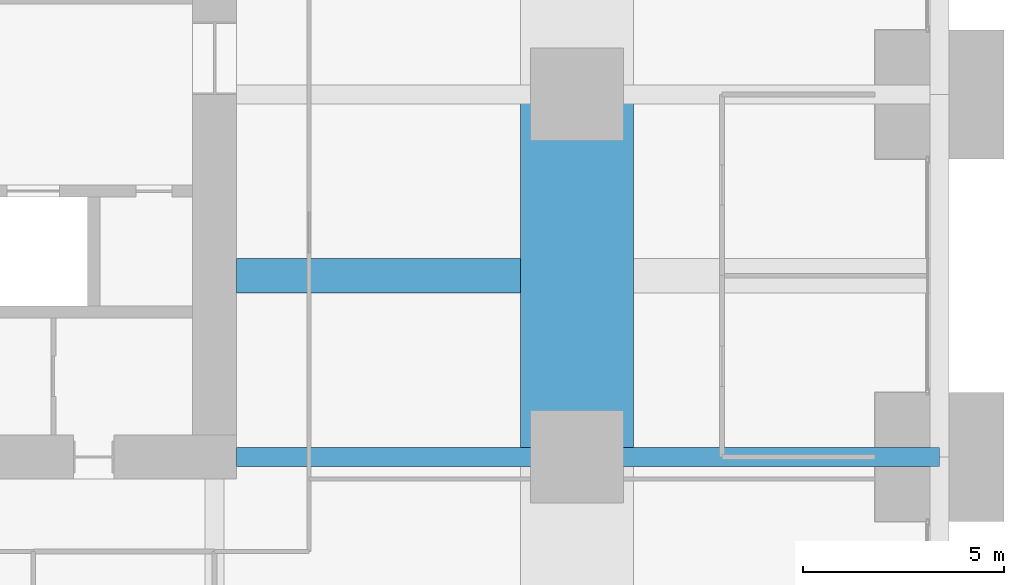
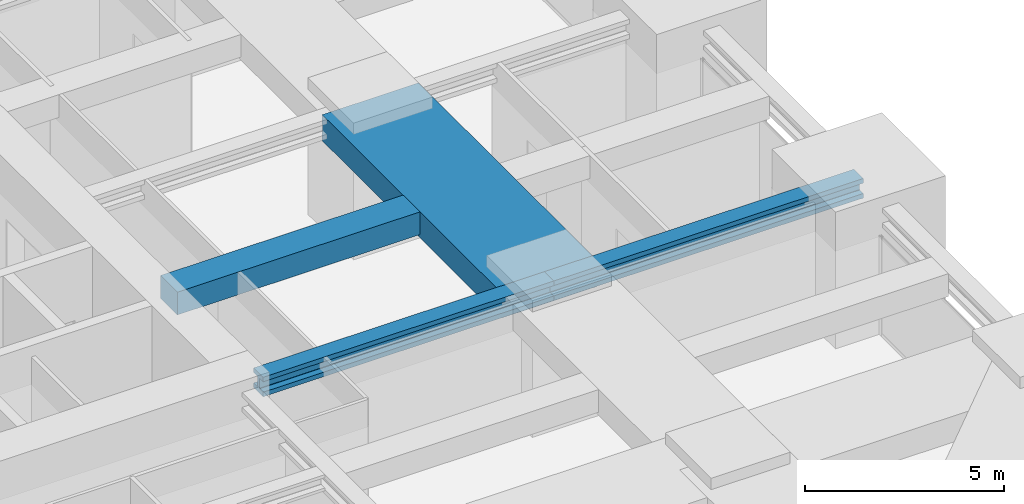
# One storey, part 18 of 42: 4 beams.
"""IFC4 building model written with IfcOpenShell, lengths in metres."""

from ifc_helpers import new_model, si_unit, direction, frame, origin, origin_2d, place, context, subcontext, project, spatial, rectangle, i_section, extrude, material, material_profile, profile_set, type_object, element, save


model = new_model("IFC4")

# Units and contexts
model_context = context("Model", 3, precision=1e-05, world=origin(), true_north=direction((0.0, 1.0)))
body_context = subcontext(model_context, "Body", "Model", "MODEL_VIEW")
ifc_project = project(units=[si_unit("LENGTHUNIT", "METRE"), si_unit("AREAUNIT", "SQUARE_METRE"), si_unit("VOLUMEUNIT", "CUBIC_METRE"), si_unit("PLANEANGLEUNIT", "RADIAN"), si_unit("MASSUNIT", "GRAM", prefix="KILO")], contexts=[model_context])

# Site, building, storey
site_placement = place(None, origin())
site = spatial("IfcSite", under=ifc_project, at=site_placement, CompositionType="ELEMENT")
building_placement = place(site_placement, origin())
building = spatial("IfcBuilding", under=site, at=building_placement, Name="Zorevar Civic Tower", CompositionType="ELEMENT")
storey_placement = place(building_placement, frame((0.0, 0.0, 75.800048828125)))
storey = spatial("IfcBuildingStorey", under=building, at=storey_placement, Name="L18", CompositionType="ELEMENT", Elevation=75.800048828125)

# Beams
ifc_material_1 = material(Name="Concrete C50/60", Category="concrete")
ifc_material_profile_1 = material_profile(ifc_material_1, rectangle(XDim=2.800048828125, YDim=0.800048828125, at=origin_2d()), Name="RC 2800x800")
ifc_profile_set_1 = profile_set([ifc_material_profile_1], Name="Concrete C50/60")
beam_type_1 = type_object("IfcBeamType", Name="Beam RC 2800x800", PredefinedType="BEAM", material=ifc_profile_set_1)
beam_1_placement = place(storey_placement, frame((54.0, 18.0, 3.449951171875), z_axis=(0.0, 1.0, 0.0), x_axis=(-1.0, 0.0, 0.0)))
element("IfcBeam", 1, at=beam_1_placement, inside=storey, type_object=beam_type_1, Name="Girder L19", PredefinedType="BEAM", context=body_context, shape_type="SweptSolid", body=[
    extrude(rectangle(XDim=2.800048828125, YDim=0.800048828125, at=origin_2d()), origin(), (0.0, 0.0, 1.0), 9.0),
])
ifc_material_2 = material(Name="Concrete C50/60", Category="concrete")
ifc_material_profile_2 = material_profile(ifc_material_2, rectangle(XDim=0.85009765625, YDim=0.699951171875, at=origin_2d()), Name="RC 850x700")
ifc_profile_set_2 = profile_set([ifc_material_profile_2], Name="Concrete C50/60")
beam_type_2 = type_object("IfcBeamType", Name="Beam RC 850x700", PredefinedType="BEAM", material=ifc_profile_set_2)
beam_2_placement = place(storey_placement, frame((45.550048828125, 22.5, 3.5), z_axis=(1.0, 0.0, 0.0), x_axis=(0.0, 1.0, 0.0)))
element("IfcBeam", 2, at=beam_2_placement, inside=storey, type_object=beam_type_2, Name="Secondary beam L19", PredefinedType="BEAM", context=body_context, shape_type="SweptSolid", body=[
    extrude(rectangle(XDim=0.85009765625, YDim=0.699951171875, at=origin_2d()), origin(), (0.0, 0.0, 1.0), 7.050048828125),
])
ifc_material_3 = material(Name="Steel S460M (HISTAR 460)", Category="steel")
ifc_material_profile_3 = material_profile(ifc_material_3, i_section(OverallWidth=0.47607421875, OverallDepth=0.60009765625, WebThickness=0.10009765625, FlangeThickness=0.139892578125, FilletRadius=0.014892578125, at=origin_2d()), Name="HD 400x1299")
ifc_profile_set_3 = profile_set([ifc_material_profile_3], Name="Steel S460M (HISTAR 460)")
beam_type_3 = type_object("IfcBeamType", Name="Outrigger chord HD 400x1299", PredefinedType="BEAM", material=ifc_profile_set_3)
beam_3_placement = place(storey_placement, frame((45.550048828125, 18.0, 3.550048828125), z_axis=(1.0, 0.0, 0.0), x_axis=(0.0, 1.0, 0.0)))
element("IfcBeam", 3, at=beam_3_placement, inside=storey, type_object=beam_type_3, Name="Outrigger chord L19", PredefinedType="BEAM", context=body_context, shape_type="SweptSolid", body=[
    extrude(i_section(OverallWidth=0.47607421875, OverallDepth=0.60009765625, WebThickness=0.10009765625, FlangeThickness=0.139892578125, FilletRadius=0.014892578125, at=origin_2d()), origin(), (0.0, 0.0, 1.0), 8.449951171875),
])
beam_4_placement = place(storey_placement, frame((54.0, 18.0, 3.550048828125), z_axis=(1.0, 0.0, 0.0), x_axis=(0.0, 1.0, 0.0)))
element("IfcBeam", 4, at=beam_4_placement, inside=storey, type_object=beam_type_3, Name="Outrigger chord L19", PredefinedType="BEAM", context=body_context, shape_type="SweptSolid", body=[
    extrude(i_section(OverallWidth=0.47607421875, OverallDepth=0.60009765625, WebThickness=0.10009765625, FlangeThickness=0.139892578125, FilletRadius=0.014892578125, at=origin_2d()), origin(), (0.0, 0.0, 1.0), 9.0),
])

save(model, "model.ifc")
